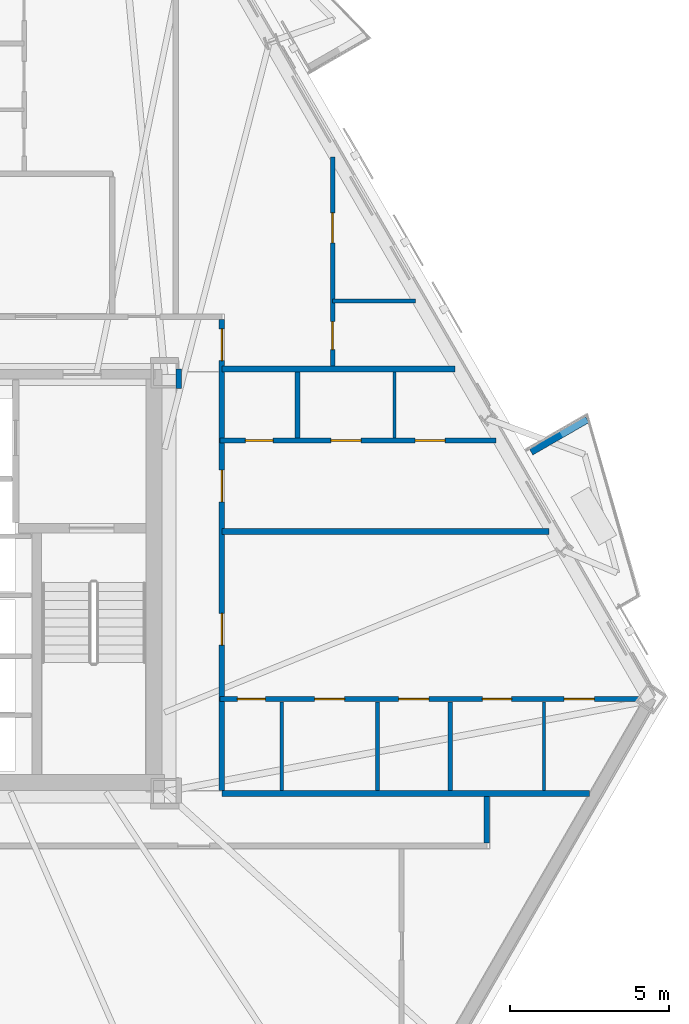
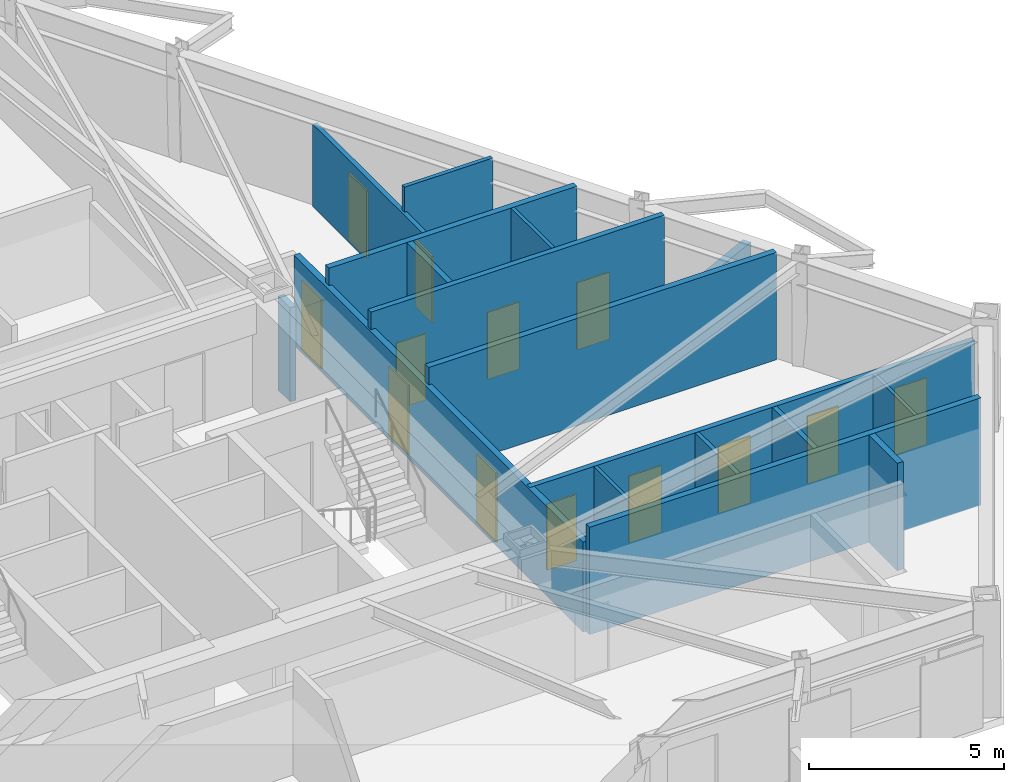
# One storey, part 5 of 11: 17 walls, 13 doors, 13 openings.
"""IFC4 building model written with IfcOpenShell, lengths in metres."""

from ifc_helpers import new_model, si_unit, direction, frame, frame_2d, origin, place, context, subcontext, project, spatial, polyline, rectangle, outline, extrude, material, layer, layer_set, type_object, element, fill, save


model = new_model("IFC4")

# Units and contexts
model_context = context("Model", 3, precision=1e-05, world=origin(), true_north=direction((0.0, 1.0)))
body_context = subcontext(model_context, "Body", "Model", "MODEL_VIEW")
ifc_project = project(units=[si_unit("LENGTHUNIT", "METRE"), si_unit("AREAUNIT", "SQUARE_METRE"), si_unit("VOLUMEUNIT", "CUBIC_METRE"), si_unit("PLANEANGLEUNIT", "RADIAN"), si_unit("MASSUNIT", "GRAM", prefix="KILO")], contexts=[model_context])

# Site, building, storey
site_placement = place(None, origin())
site = spatial("IfcSite", under=ifc_project, at=site_placement, CompositionType="ELEMENT")
building_placement = place(site_placement, origin())
building = spatial("IfcBuilding", under=site, at=building_placement, Name="Oramaril Tower", CompositionType="ELEMENT")
storey_placement = place(building_placement, frame((0.0, 0.0, 82.5)))
storey = spatial("IfcBuildingStorey", under=building, at=storey_placement, Name="L21", CompositionType="ELEMENT", Elevation=82.5)

# Walls
ifc_material_1 = material(Name="Concrete C40/50", Category="concrete")
ifc_layer_1 = layer(ifc_material_1, 0.22998046875)
ifc_layer_set_1 = layer_set([ifc_layer_1], Name="WT-PRP23")
wall_type_1 = type_object("IfcWallType", Name="WT-PRP23", PredefinedType="PARAPET", material=ifc_layer_set_1)
wall_1_placement = place(storey_placement, frame((57.19091796875, 21.711669921875, 0.0), z_axis=(0.0, 0.0, 1.0), x_axis=(0.866042246008, 0.499970827278, 0.0)))
element("IfcWall", 1, at=wall_1_placement, inside=storey, type_object=wall_type_1, Name="L21 Trapezoidal Balcony Frame Cheek L21-BAL-NE1-R", PredefinedType="PARAPET", context=body_context, shape_type="SweptSolid", body=[
    extrude(outline(polyline([(0.0, 0.0), (2.0419921875, 0.0), (2.0419921875, 1.10009765625), (0.0, 1.320068359375), (0.0, 0.0)])), frame((0.0, 0.114990234375, 0.0), z_axis=(0.0, -1.0, 0.0), x_axis=(1.0, 0.0, 0.0)), (0.0, 0.0, 1.0), 0.22998046875),
])
ifc_material_2 = material(Name="Acoustic Gypsum Board Partition")
ifc_layer_2 = layer(ifc_material_2, 0.10009765625)
ifc_layer_set_2 = layer_set([ifc_layer_2], Name="WT-PT10")
wall_type_2 = type_object("IfcWallType", Name="WT-PT10", PredefinedType="PARTITIONING", material=ifc_layer_set_2)
wall_2_placement = place(storey_placement, frame((49.340087890625, 11.0439453125, 0.0), z_axis=(0.0, 0.0, 1.0), x_axis=(0.0, 1.0, 0.0)))
element("IfcWall", 2, at=wall_2_placement, inside=storey, type_object=wall_type_2, Name="L21 Interior Partition PT-10", PredefinedType="PARTITIONING", context=body_context, shape_type="SweptSolid", body=[
    extrude(rectangle(XDim=2.7919921875, YDim=0.10009765625, at=frame_2d((1.39599609375, 0.0))), origin(), (0.0, 0.0, 1.0), 2.81396484375),
])
wall_3_placement = place(storey_placement, frame((52.889892578125, 22.154052734375, 0.0), z_axis=(0.0, 0.0, 1.0), x_axis=(0.0, 1.0, 0.0)))
element("IfcWall", 3, at=wall_3_placement, inside=storey, type_object=wall_type_2, Name="L21 Interior Partition PT-10", PredefinedType="PARTITIONING", context=body_context, shape_type="SweptSolid", body=[
    extrude(rectangle(XDim=2.072021484375, YDim=0.10009765625, at=frame_2d((1.0361328125, 0.0))), origin(), (0.0, 0.0, 1.0), 3.360107421875),
])
wall_4_placement = place(storey_placement, frame((57.60009765625, 11.0439453125, 0.0), z_axis=(0.0, 0.0, 1.0), x_axis=(0.0, 1.0, 0.0)))
element("IfcWall", 4, at=wall_4_placement, inside=storey, type_object=wall_type_2, Name="L21 Interior Partition PT-10", PredefinedType="PARTITIONING", context=body_context, shape_type="SweptSolid", body=[
    extrude(rectangle(XDim=2.7919921875, YDim=0.10009765625, at=frame_2d((1.39599609375, 0.0))), origin(), (0.0, 0.0, 1.0), 2.81396484375),
])
ifc_material_3 = material(Name="Acoustic Gypsum Board Partition")
ifc_layer_3 = layer(ifc_material_3, 0.1201171875)
ifc_layer_set_3 = layer_set([ifc_layer_3], Name="WT-PT12")
wall_type_3 = type_object("IfcWallType", Name="WT-PT12", PredefinedType="PARTITIONING", material=ifc_layer_set_3)
wall_5_placement = place(storey_placement, frame((50.93994140625, 26.4599609375, 0.0), z_axis=(0.0, 0.0, 1.0), x_axis=(1.0, 0.0, 0.0)))
element("IfcWall", 5, at=wall_5_placement, inside=storey, type_object=wall_type_3, Name="L21 Interior Partition PT-12", PredefinedType="PARTITIONING", context=body_context, shape_type="SweptSolid", body=[
    extrude(rectangle(XDim=2.6181640625, YDim=0.1201171875, at=frame_2d((1.30908203125, 0.0))), origin(), (0.0, 0.0, 1.0), 3.360107421875),
])
wall_6_placement = place(storey_placement, frame((52.35009765625, 11.0439453125, 0.0), z_axis=(0.0, 0.0, 1.0), x_axis=(0.0, 1.0, 0.0)))
element("IfcWall", 6, at=wall_6_placement, inside=storey, type_object=wall_type_3, Name="L21 Interior Partition PT-12", PredefinedType="PARTITIONING", context=body_context, shape_type="SweptSolid", body=[
    extrude(rectangle(XDim=2.7919921875, YDim=0.1201171875, at=frame_2d((1.39599609375, 0.0))), origin(), (0.0, 0.0, 1.0), 2.81396484375),
])

# Wall, openings, doors
ifc_material_4 = material(Name="Acoustic Gypsum Board Partition")
ifc_layer_4 = layer(ifc_material_4, 0.139892578125)
ifc_layer_set_4 = layer_set([ifc_layer_4], Name="WT-PT14")
wall_type_4 = type_object("IfcWallType", Name="WT-PT14", PredefinedType="PARTITIONING", material=ifc_layer_set_4)
wall_7_placement = place(storey_placement, frame((50.93994140625, 24.4140625, 0.0), z_axis=(0.0, 0.0, 1.0), x_axis=(0.0, 1.0, 0.0)))
wall_7 = element("IfcWall", 7, at=wall_7_placement, inside=storey, type_object=wall_type_4, Name="L21 Interior Partition PT-14", PredefinedType="PARTITIONING", context=body_context, shape_type="SweptSolid", body=[
    extrude(rectangle(XDim=6.58056640625, YDim=0.139892578125, at=frame_2d((3.290283203125, 0.0))), origin(), (0.0, 0.0, 1.0), 2.577880859375),
])
opening_1_placement = place(wall_7_placement, frame((0.52099609375, 0.0, 0.0)))
opening_1 = element("IfcOpeningElement", 8, at=opening_1_placement, cuts=wall_7, Name="Opening D-L21-40", PredefinedType="OPENING", context=body_context, shape_type="SweptSolid", body=[
    extrude(rectangle(XDim=0.8798828125, YDim=2.080078125, at=frame_2d((0.43994140625, 1.0400390625))), frame((0.0, 0.06982421875, 0.0), z_axis=(0.0, -1.0, 0.0), x_axis=(1.0, 0.0, 0.0)), (0.0, 0.0, 1.0), 0.139892578125),
])
opening_2_placement = place(wall_7_placement, frame((3.87744140625, 0.0, 0.0)))
opening_2 = element("IfcOpeningElement", 9, at=opening_2_placement, cuts=wall_7, Name="Opening D-L21-41", PredefinedType="OPENING", context=body_context, shape_type="SweptSolid", body=[
    extrude(rectangle(XDim=0.949951171875, YDim=2.10009765625, at=frame_2d((0.47509765625, 1.050048828125))), frame((0.0, 0.06982421875, 0.0), z_axis=(0.0, -1.0, 0.0), x_axis=(1.0, 0.0, 0.0)), (0.0, 0.0, 1.0), 0.139892578125),
])
ifc_material_5 = material(Name="FSC Brazilian Freijo Hardwood", Category="wood")
door_type_1 = type_object("IfcDoorType", Name="DT-BATH", OperationType="NOTDEFINED", PredefinedType="DOOR", material=ifc_material_5)
door_1_placement = place(opening_1_placement, origin())
door_1 = element("IfcDoor", 10, at=door_1_placement, inside=storey, type_object=door_type_1, Name="L21 Flat L21-U10 Bathroom Door D-L21-40", OperationType="SINGLE_SWING_RIGHT", OverallHeight=2.080078125, OverallWidth=0.8798828125, PredefinedType="DOOR", context=body_context, shape_type="SweptSolid", body=[
    extrude(rectangle(XDim=0.8798828125, YDim=2.080078125, at=frame_2d((0.43994140625, 1.0400390625))), frame((0.0, 0.02490234375, 0.0), z_axis=(0.0, -1.0, 0.0), x_axis=(1.0, 0.0, 0.0)), (0.0, 0.0, 1.0), 0.050048828125),
])
fill(opening_1, door_1)
ifc_material_6 = material(Name="FSC Brazilian Freijo Hardwood", Category="wood")
door_type_2 = type_object("IfcDoorType", Name="DT-STDY", OperationType="NOTDEFINED", PredefinedType="DOOR", material=ifc_material_6)
door_2_placement = place(opening_2_placement, origin())
door_2 = element("IfcDoor", 11, at=door_2_placement, inside=storey, type_object=door_type_2, Name="L21 Flat L21-U10 Kitchen Door D-L21-41", OperationType="SINGLE_SWING_LEFT", OverallHeight=2.10009765625, OverallWidth=0.949951171875, PredefinedType="DOOR", context=body_context, shape_type="SweptSolid", body=[
    extrude(rectangle(XDim=0.949951171875, YDim=2.10009765625, at=frame_2d((0.47509765625, 1.050048828125))), frame((0.0, 0.02490234375, 0.0), z_axis=(0.0, -1.0, 0.0), x_axis=(1.0, 0.0, 0.0)), (0.0, 0.0, 1.0), 0.050048828125),
])
fill(opening_2, door_2)

# Wall
wall_8_placement = place(storey_placement, frame((54.639892578125, 11.0439453125, 0.0), z_axis=(0.0, 0.0, 1.0), x_axis=(0.0, 1.0, 0.0)))
element("IfcWall", 12, at=wall_8_placement, inside=storey, type_object=wall_type_4, Name="L21 Interior Partition PT-14", PredefinedType="PARTITIONING", context=body_context, shape_type="SweptSolid", body=[
    extrude(rectangle(XDim=2.7919921875, YDim=0.139892578125, at=frame_2d((1.39599609375, 0.0))), origin(), (0.0, 0.0, 1.0), 2.81396484375),
])

# Wall, openings, doors
ifc_material_7 = material(Name="Acoustic Gypsum Board Partition")
ifc_layer_5 = layer(ifc_material_7, 0.159912109375)
ifc_layer_set_5 = layer_set([ifc_layer_5], Name="WT-PT16")
wall_type_5 = type_object("IfcWallType", Name="WT-PT16", PredefinedType="PARTITIONING", material=ifc_layer_set_5)
wall_9_placement = place(storey_placement, frame((47.39990234375, 13.919921875, 0.0), z_axis=(0.0, 0.0, 1.0), x_axis=(1.0, 0.0, 0.0)))
wall_9 = element("IfcWall", 13, at=wall_9_placement, inside=storey, type_object=wall_type_5, Name="L21 Interior Partition PT-16", PredefinedType="PARTITIONING", context=body_context, shape_type="SweptSolid", body=[
    extrude(rectangle(XDim=13.181396484375, YDim=0.159912109375, at=frame_2d((6.5908203125, 0.0))), origin(), (0.0, 0.0, 1.0), 2.81396484375),
])
opening_3_placement = place(wall_9_placement, frame((0.5400390625, 0.0, 0.0)))
opening_3 = element("IfcOpeningElement", 14, at=opening_3_placement, cuts=wall_9, Name="Opening D-L21-04", PredefinedType="OPENING", context=body_context, shape_type="SweptSolid", body=[
    extrude(rectangle(XDim=0.8798828125, YDim=2.080078125, at=frame_2d((0.43994140625, 1.0400390625))), frame((0.0, 0.080078125, 0.0), z_axis=(0.0, -1.0, 0.0), x_axis=(1.0, 0.0, 0.0)), (0.0, 0.0, 1.0), 0.159912109375),
])
opening_4_placement = place(wall_9_placement, frame((2.972412109375, 0.0, 0.0)))
opening_4 = element("IfcOpeningElement", 15, at=opening_4_placement, cuts=wall_9, Name="Opening D-L21-05", PredefinedType="OPENING", context=body_context, shape_type="SweptSolid", body=[
    extrude(rectangle(XDim=0.949951171875, YDim=2.10009765625, at=frame_2d((0.47509765625, 1.050048828125))), frame((0.0, 0.080078125, 0.0), z_axis=(0.0, -1.0, 0.0), x_axis=(1.0, 0.0, 0.0)), (0.0, 0.0, 1.0), 0.159912109375),
])
opening_5_placement = place(wall_9_placement, frame((5.620849609375, 0.0, 0.0)))
opening_5 = element("IfcOpeningElement", 16, at=opening_5_placement, cuts=wall_9, Name="Opening D-L21-06", PredefinedType="OPENING", context=body_context, shape_type="SweptSolid", body=[
    extrude(rectangle(XDim=0.949951171875, YDim=2.10009765625, at=frame_2d((0.47509765625, 1.050048828125))), frame((0.0, 0.080078125, 0.0), z_axis=(0.0, -1.0, 0.0), x_axis=(1.0, 0.0, 0.0)), (0.0, 0.0, 1.0), 0.159912109375),
])
opening_6_placement = place(wall_9_placement, frame((8.256591796875, 0.0, 0.0)))
opening_6 = element("IfcOpeningElement", 17, at=opening_6_placement, cuts=wall_9, Name="Opening D-L21-07", PredefinedType="OPENING", context=body_context, shape_type="SweptSolid", body=[
    extrude(rectangle(XDim=0.919921875, YDim=2.1201171875, at=frame_2d((0.4599609375, 1.06005859375))), frame((0.0, 0.080078125, 0.0), z_axis=(0.0, -1.0, 0.0), x_axis=(1.0, 0.0, 0.0)), (0.0, 0.0, 1.0), 0.159912109375),
])
opening_7_placement = place(wall_9_placement, frame((10.833984375, 0.0, 0.0)))
opening_7 = element("IfcOpeningElement", 18, at=opening_7_placement, cuts=wall_9, Name="Opening D-L21-08", PredefinedType="OPENING", context=body_context, shape_type="SweptSolid", body=[
    extrude(rectangle(XDim=0.949951171875, YDim=2.10009765625, at=frame_2d((0.47509765625, 1.050048828125))), frame((0.0, 0.080078125, 0.0), z_axis=(0.0, -1.0, 0.0), x_axis=(1.0, 0.0, 0.0)), (0.0, 0.0, 1.0), 0.159912109375),
])
door_3_placement = place(opening_3_placement, origin())
door_3 = element("IfcDoor", 19, at=door_3_placement, inside=storey, type_object=door_type_1, Name="L21 Flat L21-U5 Bathroom Door D-L21-04", OperationType="SINGLE_SWING_RIGHT", OverallHeight=2.080078125, OverallWidth=0.8798828125, PredefinedType="DOOR", context=body_context, shape_type="SweptSolid", body=[
    extrude(rectangle(XDim=0.8798828125, YDim=2.080078125, at=frame_2d((0.43994140625, 1.0400390625))), frame((0.0, 0.02490234375, 0.0), z_axis=(0.0, -1.0, 0.0), x_axis=(1.0, 0.0, 0.0)), (0.0, 0.0, 1.0), 0.050048828125),
])
fill(opening_3, door_3)
ifc_material_8 = material(Name="FSC Brazilian Freijo Hardwood", Category="wood")
door_type_3 = type_object("IfcDoorType", Name="DT-BED", OperationType="NOTDEFINED", PredefinedType="DOOR", material=ifc_material_8)
door_4_placement = place(opening_6_placement, origin())
door_4 = element("IfcDoor", 20, at=door_4_placement, inside=storey, type_object=door_type_3, Name="L21 Flat L21-U5 Bedroom 2 Door D-L21-07", OperationType="SINGLE_SWING_LEFT", OverallHeight=2.1201171875, OverallWidth=0.919921875, PredefinedType="DOOR", context=body_context, shape_type="SweptSolid", body=[
    extrude(rectangle(XDim=0.919921875, YDim=2.1201171875, at=frame_2d((0.4599609375, 1.06005859375))), frame((0.0, 0.02490234375, 0.0), z_axis=(0.0, -1.0, 0.0), x_axis=(1.0, 0.0, 0.0)), (0.0, 0.0, 1.0), 0.050048828125),
])
fill(opening_6, door_4)
door_5_placement = place(opening_4_placement, origin())
door_5 = element("IfcDoor", 21, at=door_5_placement, inside=storey, type_object=door_type_2, Name="L21 Flat L21-U5 Kitchen Door D-L21-05", OperationType="SINGLE_SWING_LEFT", OverallHeight=2.10009765625, OverallWidth=0.949951171875, PredefinedType="DOOR", context=body_context, shape_type="SweptSolid", body=[
    extrude(rectangle(XDim=0.949951171875, YDim=2.10009765625, at=frame_2d((0.47509765625, 1.050048828125))), frame((0.0, 0.02490234375, 0.0), z_axis=(0.0, -1.0, 0.0), x_axis=(1.0, 0.0, 0.0)), (0.0, 0.0, 1.0), 0.050048828125),
])
fill(opening_4, door_5)
door_6_placement = place(opening_5_placement, origin())
door_6 = element("IfcDoor", 22, at=door_6_placement, inside=storey, type_object=door_type_2, Name="L21 Flat L21-U5 Reading Study Door D-L21-06", OperationType="SINGLE_SWING_RIGHT", OverallHeight=2.10009765625, OverallWidth=0.949951171875, PredefinedType="DOOR", context=body_context, shape_type="SweptSolid", body=[
    extrude(rectangle(XDim=0.949951171875, YDim=2.10009765625, at=frame_2d((0.47509765625, 1.050048828125))), frame((0.0, 0.02490234375, 0.0), z_axis=(0.0, -1.0, 0.0), x_axis=(1.0, 0.0, 0.0)), (0.0, 0.0, 1.0), 0.050048828125),
])
fill(opening_5, door_6)
door_7_placement = place(opening_7_placement, origin())
door_7 = element("IfcDoor", 23, at=door_7_placement, inside=storey, type_object=door_type_2, Name="L21 Flat L21-U5 Breakfast Dining Room Door D-L21-08", OperationType="SINGLE_SWING_RIGHT", OverallHeight=2.10009765625, OverallWidth=0.949951171875, PredefinedType="DOOR", context=body_context, shape_type="SweptSolid", body=[
    extrude(rectangle(XDim=0.949951171875, YDim=2.10009765625, at=frame_2d((0.47509765625, 1.050048828125))), frame((0.0, 0.02490234375, 0.0), z_axis=(0.0, -1.0, 0.0), x_axis=(1.0, 0.0, 0.0)), (0.0, 0.0, 1.0), 0.050048828125),
])
fill(opening_7, door_7)

wall_10_placement = place(storey_placement, frame((47.39990234375, 22.070068359375, 0.0), z_axis=(0.0, 0.0, 1.0), x_axis=(1.0, 0.0, 0.0)))
wall_10 = element("IfcWall", 24, at=wall_10_placement, inside=storey, type_object=wall_type_5, Name="L21 Interior Partition PT-16", PredefinedType="PARTITIONING", context=body_context, shape_type="SweptSolid", body=[
    extrude(rectangle(XDim=8.692626953125, YDim=0.159912109375, at=frame_2d((4.34619140625, 0.0))), origin(), (0.0, 0.0, 1.0), 3.360107421875),
])
opening_8_placement = place(wall_10_placement, frame((0.78857421875, 0.0, 0.0)))
opening_8 = element("IfcOpeningElement", 25, at=opening_8_placement, cuts=wall_10, Name="Opening D-L21-13", PredefinedType="OPENING", context=body_context, shape_type="SweptSolid", body=[
    extrude(rectangle(XDim=0.8798828125, YDim=2.080078125, at=frame_2d((0.43994140625, 1.0400390625))), frame((0.0, 0.080078125, 0.0), z_axis=(0.0, -1.0, 0.0), x_axis=(1.0, 0.0, 0.0)), (0.0, 0.0, 1.0), 0.159912109375),
])
opening_9_placement = place(wall_10_placement, frame((3.487060546875, 0.0, 0.0)))
opening_9 = element("IfcOpeningElement", 26, at=opening_9_placement, cuts=wall_10, Name="Opening D-L21-14", PredefinedType="OPENING", context=body_context, shape_type="SweptSolid", body=[
    extrude(rectangle(XDim=0.949951171875, YDim=2.10009765625, at=frame_2d((0.47509765625, 1.050048828125))), frame((0.0, 0.080078125, 0.0), z_axis=(0.0, -1.0, 0.0), x_axis=(1.0, 0.0, 0.0)), (0.0, 0.0, 1.0), 0.159912109375),
])
opening_10_placement = place(wall_10_placement, frame((6.13818359375, 0.0, 0.0)))
opening_10 = element("IfcOpeningElement", 27, at=opening_10_placement, cuts=wall_10, Name="Opening D-L21-15", PredefinedType="OPENING", context=body_context, shape_type="SweptSolid", body=[
    extrude(rectangle(XDim=0.949951171875, YDim=2.10009765625, at=frame_2d((0.47509765625, 1.050048828125))), frame((0.0, 0.080078125, 0.0), z_axis=(0.0, -1.0, 0.0), x_axis=(1.0, 0.0, 0.0)), (0.0, 0.0, 1.0), 0.159912109375),
])
door_8_placement = place(opening_8_placement, origin())
door_8 = element("IfcDoor", 28, at=door_8_placement, inside=storey, type_object=door_type_1, Name="L21 Flat L21-U6 Bathroom Door D-L21-13", OperationType="SINGLE_SWING_LEFT", OverallHeight=2.080078125, OverallWidth=0.8798828125, PredefinedType="DOOR", context=body_context, shape_type="SweptSolid", body=[
    extrude(rectangle(XDim=0.8798828125, YDim=2.080078125, at=frame_2d((0.43994140625, 1.0400390625))), frame((0.0, 0.02490234375, 0.0), z_axis=(0.0, -1.0, 0.0), x_axis=(1.0, 0.0, 0.0)), (0.0, 0.0, 1.0), 0.050048828125),
])
fill(opening_8, door_8)
door_9_placement = place(opening_9_placement, origin())
door_9 = element("IfcDoor", 29, at=door_9_placement, inside=storey, type_object=door_type_2, Name="L21 Flat L21-U6 Kitchen Door D-L21-14", OperationType="SINGLE_SWING_RIGHT", OverallHeight=2.10009765625, OverallWidth=0.949951171875, PredefinedType="DOOR", context=body_context, shape_type="SweptSolid", body=[
    extrude(rectangle(XDim=0.949951171875, YDim=2.10009765625, at=frame_2d((0.47509765625, 1.050048828125))), frame((0.0, 0.02490234375, 0.0), z_axis=(0.0, -1.0, 0.0), x_axis=(1.0, 0.0, 0.0)), (0.0, 0.0, 1.0), 0.050048828125),
])
fill(opening_9, door_9)
door_10_placement = place(opening_10_placement, origin())
door_10 = element("IfcDoor", 30, at=door_10_placement, inside=storey, type_object=door_type_2, Name="L21 Flat L21-U6 Breakfast Dining Room Door D-L21-15", OperationType="SINGLE_SWING_LEFT", OverallHeight=2.10009765625, OverallWidth=0.949951171875, PredefinedType="DOOR", context=body_context, shape_type="SweptSolid", body=[
    extrude(rectangle(XDim=0.949951171875, YDim=2.10009765625, at=frame_2d((0.47509765625, 1.050048828125))), frame((0.0, 0.02490234375, 0.0), z_axis=(0.0, -1.0, 0.0), x_axis=(1.0, 0.0, 0.0)), (0.0, 0.0, 1.0), 0.050048828125),
])
fill(opening_10, door_10)

# Walls
wall_11_placement = place(storey_placement, frame((49.840087890625, 22.154052734375, 0.0), z_axis=(0.0, 0.0, 1.0), x_axis=(0.0, 1.0, 0.0)))
element("IfcWall", 31, at=wall_11_placement, inside=storey, type_object=wall_type_5, Name="L21 Interior Partition PT-16", PredefinedType="PARTITIONING", context=body_context, shape_type="SweptSolid", body=[
    extrude(rectangle(XDim=2.072021484375, YDim=0.159912109375, at=frame_2d((1.0361328125, 0.0))), origin(), (0.0, 0.0, 1.0), 3.360107421875),
])
ifc_material_9 = material(Name="Autoclaved Cellular Concrete Block", Category="concrete")
ifc_layer_6 = layer(ifc_material_9, 0.179931640625)
ifc_layer_set_6 = layer_set([ifc_layer_6], Name="WT-PT18")
wall_type_6 = type_object("IfcWallType", Name="WT-PT18", PredefinedType="PARTITIONING", material=ifc_layer_set_6)
wall_12_placement = place(storey_placement, frame((47.449951171875, 10.949951171875, 0.0), z_axis=(0.0, 0.0, 1.0), x_axis=(1.0, 0.0, 0.0)))
element("IfcWall", 32, at=wall_12_placement, inside=storey, type_object=wall_type_6, Name="L21 Interior Partition PT-18", PredefinedType="PARTITIONING", context=body_context, shape_type="SweptSolid", body=[
    extrude(rectangle(XDim=11.5859375, YDim=0.179931640625, at=frame_2d((5.79296875, 0.0))), origin(), (0.0, 0.0, 1.0), 3.360107421875),
])
wall_13_placement = place(storey_placement, frame((47.449951171875, 19.199951171875, 0.0), z_axis=(0.0, 0.0, 1.0), x_axis=(1.0, 0.0, 0.0)))
element("IfcWall", 33, at=wall_13_placement, inside=storey, type_object=wall_type_6, Name="L21 Interior Partition PT-18", PredefinedType="PARTITIONING", context=body_context, shape_type="SweptSolid", body=[
    extrude(rectangle(XDim=10.299560546875, YDim=0.179931640625, at=frame_2d((5.14990234375, 0.0))), origin(), (0.0, 0.0, 1.0), 3.360107421875),
])
wall_14_placement = place(storey_placement, frame((47.449951171875, 24.320068359375, 0.0), z_axis=(0.0, 0.0, 1.0), x_axis=(1.0, 0.0, 0.0)))
element("IfcWall", 34, at=wall_14_placement, inside=storey, type_object=wall_type_6, Name="L21 Interior Partition PT-18", PredefinedType="PARTITIONING", context=body_context, shape_type="SweptSolid", body=[
    extrude(rectangle(XDim=7.34375, YDim=0.179931640625, at=frame_2d((3.671875, 0.0))), origin(), (0.0, 0.0, 1.0), 3.360107421875),
])
wall_15_placement = place(storey_placement, frame((46.090087890625, 23.705078125, 0.0), z_axis=(0.0, 0.0, 1.0), x_axis=(0.0, 1.0, 0.0)))
element("IfcWall", 35, at=wall_15_placement, inside=storey, type_object=wall_type_6, Name="L21 Interior Partition PT-18", PredefinedType="PARTITIONING", context=body_context, shape_type="SweptSolid", body=[
    extrude(rectangle(XDim=0.614990234375, YDim=0.179931640625, at=frame_2d((0.3076171875, 0.0))), origin(), (0.0, 0.0, 1.0), 2.946044921875),
])

# Wall, openings, doors
wall_16_placement = place(storey_placement, frame((47.449951171875, 11.0439453125, 0.0), z_axis=(0.0, 0.0, 1.0), x_axis=(0.0, 1.0, 0.0)))
wall_16 = element("IfcWall", 36, at=wall_16_placement, inside=storey, type_object=wall_type_6, Name="L21 Interior Partition PT-18", PredefinedType="PARTITIONING", context=body_context, shape_type="SweptSolid", body=[
    extrude(rectangle(XDim=14.83203125, YDim=0.179931640625, at=frame_2d((7.416015625, 0.0))), origin(), (0.0, 0.0, 1.0), 2.81396484375),
])
opening_11_placement = place(wall_16_placement, frame((4.578369140625, 0.0, 0.0)))
opening_11 = element("IfcOpeningElement", 37, at=opening_11_placement, cuts=wall_16, Name="Opening D-L21-37", PredefinedType="OPENING", context=body_context, shape_type="SweptSolid", body=[
    extrude(rectangle(XDim=1.0, YDim=2.179931640625, at=frame_2d((0.5, 1.08984375))), frame((0.0, 0.08984375, 0.0), z_axis=(0.0, -1.0, 0.0), x_axis=(1.0, 0.0, 0.0)), (0.0, 0.0, 1.0), 0.179931640625),
])
opening_12_placement = place(wall_16_placement, frame((9.089599609375, 0.0, 0.0)))
opening_12 = element("IfcOpeningElement", 38, at=opening_12_placement, cuts=wall_16, Name="Opening D-L21-38", PredefinedType="OPENING", context=body_context, shape_type="SweptSolid", body=[
    extrude(rectangle(XDim=1.0, YDim=2.179931640625, at=frame_2d((0.5, 1.08984375))), frame((0.0, 0.08984375, 0.0), z_axis=(0.0, -1.0, 0.0), x_axis=(1.0, 0.0, 0.0)), (0.0, 0.0, 1.0), 0.179931640625),
])
opening_13_placement = place(wall_16_placement, frame((13.539306640625, 0.0, 0.0)))
opening_13 = element("IfcOpeningElement", 39, at=opening_13_placement, cuts=wall_16, Name="Opening D-L21-39", PredefinedType="OPENING", context=body_context, shape_type="SweptSolid", body=[
    extrude(rectangle(XDim=1.0, YDim=2.179931640625, at=frame_2d((0.5, 1.08984375))), frame((0.0, 0.08984375, 0.0), z_axis=(0.0, -1.0, 0.0), x_axis=(1.0, 0.0, 0.0)), (0.0, 0.0, 1.0), 0.179931640625),
])
ifc_material_10 = material(Name="FSC Brazilian Freijo Hardwood", Category="wood")
door_type_4 = type_object("IfcDoorType", Name="DT-APT", OperationType="NOTDEFINED", PredefinedType="DOOR", material=ifc_material_10)
door_11_placement = place(opening_11_placement, origin())
door_11 = element("IfcDoor", 40, at=door_11_placement, inside=storey, type_object=door_type_4, Name="L21 Flat L21-U5 Penthouse Living and Dining Room Door D-L21-37", OperationType="SINGLE_SWING_LEFT", OverallHeight=2.179931640625, OverallWidth=1.0, PredefinedType="DOOR", context=body_context, shape_type="SweptSolid", body=[
    extrude(rectangle(XDim=1.0, YDim=2.179931640625, at=frame_2d((0.5, 1.08984375))), frame((0.0, 0.02490234375, 0.0), z_axis=(0.0, -1.0, 0.0), x_axis=(1.0, 0.0, 0.0)), (0.0, 0.0, 1.0), 0.050048828125),
])
fill(opening_11, door_11)
door_12_placement = place(opening_12_placement, origin())
door_12 = element("IfcDoor", 41, at=door_12_placement, inside=storey, type_object=door_type_4, Name="L21 Flat L21-U6 Studio Apartment Door D-L21-38", OperationType="SINGLE_SWING_RIGHT", OverallHeight=2.179931640625, OverallWidth=1.0, PredefinedType="DOOR", context=body_context, shape_type="SweptSolid", body=[
    extrude(rectangle(XDim=1.0, YDim=2.179931640625, at=frame_2d((0.5, 1.08984375))), frame((0.0, 0.02490234375, 0.0), z_axis=(0.0, -1.0, 0.0), x_axis=(1.0, 0.0, 0.0)), (0.0, 0.0, 1.0), 0.050048828125),
])
fill(opening_12, door_12)
door_13_placement = place(opening_13_placement, origin())
door_13 = element("IfcDoor", 42, at=door_13_placement, inside=storey, type_object=door_type_4, Name="L21 Flat L21-U10 Studio Apartment Door D-L21-39", OperationType="SINGLE_SWING_LEFT", OverallHeight=2.179931640625, OverallWidth=1.0, PredefinedType="DOOR", context=body_context, shape_type="SweptSolid", body=[
    extrude(rectangle(XDim=1.0, YDim=2.179931640625, at=frame_2d((0.5, 1.08984375))), frame((0.0, 0.02490234375, 0.0), z_axis=(0.0, -1.0, 0.0), x_axis=(1.0, 0.0, 0.0)), (0.0, 0.0, 1.0), 0.050048828125),
])
fill(opening_13, door_13)

# Wall
wall_17_placement = place(storey_placement, frame((55.800048828125, 9.39404296875, 0.0), z_axis=(0.0, 0.0, 1.0), x_axis=(0.0, 1.0, 0.0)))
element("IfcWall", 43, at=wall_17_placement, inside=storey, type_object=wall_type_6, Name="L21 Interior Partition PT-18", PredefinedType="PARTITIONING", context=body_context, shape_type="SweptSolid", body=[
    extrude(rectangle(XDim=1.4619140625, YDim=0.179931640625, at=frame_2d((0.73095703125, 0.0))), origin(), (0.0, 0.0, 1.0), 3.360107421875),
])

save(model, "model.ifc")
